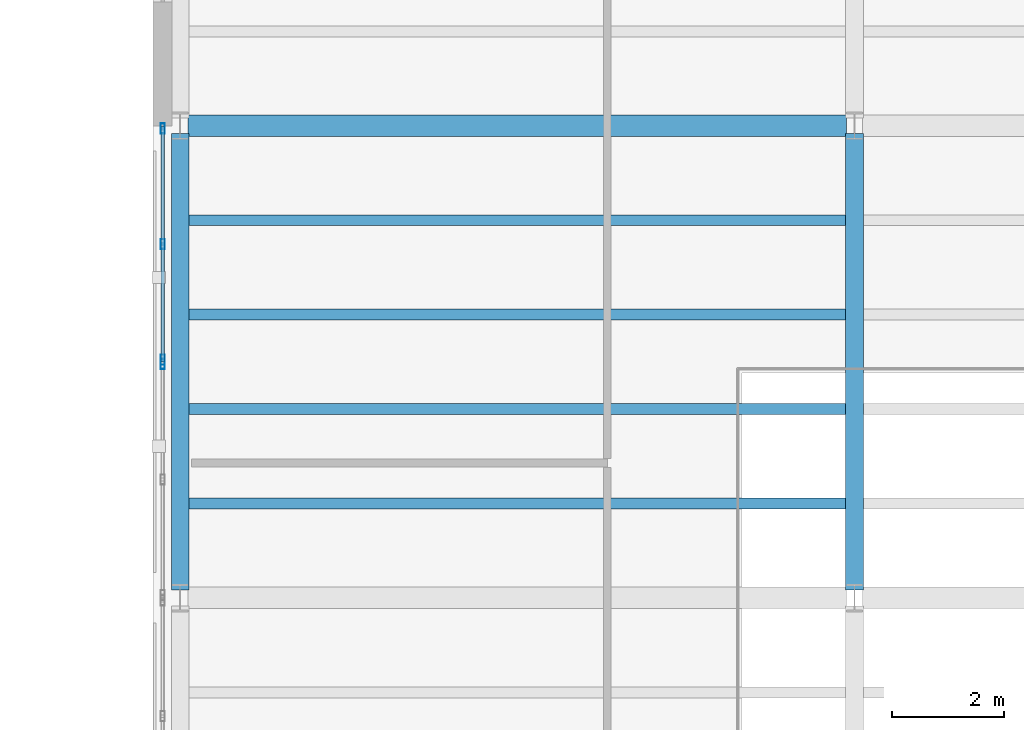
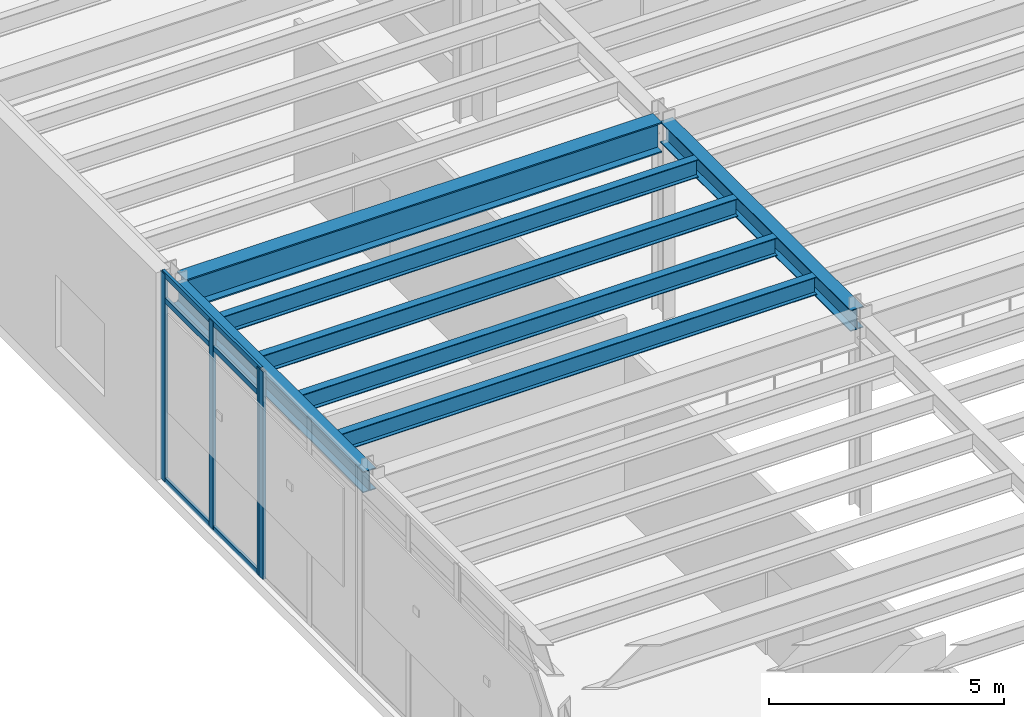
# One storey, part 36 of 98: 7 beams, 7 members, 2 elements without a shape of their own.
"""IFC4 building model written with IfcOpenShell, lengths in metres."""

from ifc_helpers import new_model, si_unit, direction, frame, origin, origin_2d, place, context, subcontext, project, spatial, hollow_rectangle, i_section, extrude, material, layer, layer_set, material_profile, profile_set, type_object, element, aggregate, save


model = new_model("IFC4")

# Units and contexts
model_context = context("Model", 3, precision=1e-05, world=origin(), true_north=direction((0.0, 1.0)))
body_context = subcontext(model_context, "Body", "Model", "MODEL_VIEW")
ifc_project = project(units=[si_unit("LENGTHUNIT", "METRE"), si_unit("AREAUNIT", "SQUARE_METRE"), si_unit("VOLUMEUNIT", "CUBIC_METRE"), si_unit("PLANEANGLEUNIT", "RADIAN"), si_unit("MASSUNIT", "GRAM", prefix="KILO")], contexts=[model_context])

# Site, building, storey
site_placement = place(None, origin())
site = spatial("IfcSite", under=ifc_project, at=site_placement, CompositionType="ELEMENT")
building_placement = place(site_placement, origin())
building = spatial("IfcBuilding", under=site, at=building_placement, Name="Sollismere Congress Hotel", CompositionType="ELEMENT")
storey_placement = place(building_placement, frame((0.0, 0.0, 5.39990234375)))
storey = spatial("IfcBuildingStorey", under=building, at=storey_placement, Name="L01", CompositionType="ELEMENT", Elevation=5.39990234375)

# Beams
ifc_material_1 = material(Name="Steel ASTM A992 Grade 50", Category="steel")
ifc_material_profile_1 = material_profile(ifc_material_1, i_section(OverallWidth=0.31494140625, OverallDepth=0.551025390625, WebThickness=0.01513671875, FlangeThickness=0.0244140625, at=origin_2d()), Name="W21X122")
ifc_profile_set_1 = profile_set([ifc_material_profile_1], Name="Steel ASTM A992 Grade 50")
beam_type_1 = type_object("IfcBeamType", Name="BM-G21H", PredefinedType="BEAM", material=ifc_profile_set_1)
for number, where, z_axis, x_axis, name in (
    (1, (112.0, 50.139892578125, 4.844482421875), (0.0, 1.0, 0.0), (-1.0, 0.0, 0.0), "Beam BM-L01-1684"),
    (2, (124.0, 50.139892578125, 4.844482421875), (0.0, 1.0, 0.0), (-1.0, 0.0, 0.0), "Beam BM-L01-1695"),
):
    element("IfcBeam", number, at=place(storey_placement, frame(where, z_axis=z_axis, x_axis=x_axis)), inside=storey, type_object=beam_type_1, Name=name, PredefinedType="BEAM", context=body_context, shape_type="SweptSolid", body=[
        extrude(i_section(OverallWidth=0.31494140625, OverallDepth=0.551025390625, WebThickness=0.01513671875, FlangeThickness=0.0244140625, at=origin_2d()), origin(), (0.0, 0.0, 1.0), 8.1201171875),
    ])
ifc_material_profile_2 = material_profile(ifc_material_1, i_section(OverallWidth=0.384033203125, OverallDepth=0.787109375, WebThickness=0.019775390625, FlangeThickness=0.033447265625, at=origin_2d()), Name="W30X211")
ifc_profile_set_2 = profile_set([ifc_material_profile_2], Name="Steel ASTM A992 Grade 50")
beam_type_2 = type_object("IfcBeamType", Name="BM-G30", PredefinedType="BEAM", material=ifc_profile_set_2)
beam_placement = place(storey_placement, frame((112.139892578125, 58.39990234375, 4.7265625), z_axis=(1.0, 0.0, 0.0), x_axis=(0.0, 1.0, 0.0)))
element("IfcBeam", 3, at=beam_placement, inside=storey, type_object=beam_type_2, Name="Beam BM-L01-1582", PredefinedType="BEAM", context=body_context, shape_type="SweptSolid", body=[
    extrude(i_section(OverallWidth=0.384033203125, OverallDepth=0.787109375, WebThickness=0.019775390625, FlangeThickness=0.033447265625, at=origin_2d()), origin(), (0.0, 0.0, 1.0), 11.72021484375),
])
ifc_material_profile_3 = material_profile(ifc_material_1, i_section(OverallWidth=0.193115234375, OverallDepth=0.467041015625, WebThickness=0.011474609375, FlangeThickness=0.01904296875, at=origin_2d()), Name="W18X65")
ifc_profile_set_3 = profile_set([ifc_material_profile_3], Name="Steel ASTM A992 Grade 50")
beam_type_3 = type_object("IfcBeamType", Name="BM-J18", PredefinedType="JOIST", material=ifc_profile_set_3)
for number, where, z_axis, x_axis, name in (
    (4, (112.157470703125, 51.679931640625, 4.88671875), (1.0, 0.0, 0.0), (0.0, 1.0, 0.0), "Beam BM-L01-1881"),
    (5, (112.157470703125, 53.360107421875, 4.88671875), (1.0, 0.0, 0.0), (0.0, 1.0, 0.0), "Beam BM-L01-1882"),
    (6, (112.157470703125, 55.0400390625, 4.88671875), (1.0, 0.0, 0.0), (0.0, 1.0, 0.0), "Beam BM-L01-1883"),
    (7, (112.157470703125, 56.719970703125, 4.88671875), (1.0, 0.0, 0.0), (0.0, 1.0, 0.0), "Beam BM-L01-1884"),
):
    element("IfcBeam", number, at=place(storey_placement, frame(where, z_axis=z_axis, x_axis=x_axis)), inside=storey, type_object=beam_type_3, Name=name, PredefinedType="JOIST", context=body_context, shape_type="SweptSolid", body=[
        extrude(i_section(OverallWidth=0.193115234375, OverallDepth=0.467041015625, WebThickness=0.011474609375, FlangeThickness=0.01904296875, at=origin_2d()), origin(), (0.0, 0.0, 1.0), 11.68505859375),
    ])

# Curtain wall, member
ifc_material_2 = material(Name="Anodized Bronze Curtain Wall & Low-E Triple Glazing", Category="glass")
ifc_layer = layer(ifc_material_2, 0.199951171875, Name="Anodized Bronze Curtain Wall & Low-E Triple Glazing")
ifc_layer_set = layer_set([ifc_layer], Name="Anodized Bronze Curtain Wall & Low-E Triple Glazing")
curtain_wall_type = type_object("IfcCurtainWallType", Name="CW-GLZ36", PredefinedType="USERDEFINED", material=ifc_layer_set)
curtain_wall_1_placement = place(storey_placement, origin())
curtain_wall_1 = element("IfcCurtainWall", 8, at=curtain_wall_1_placement, inside=storey, type_object=curtain_wall_type, Name="Unitised curtain wall CW-L01-145", ObjectType="UNITISED CURTAIN WALL", PredefinedType="USERDEFINED")
ifc_material_3 = material(Name="Anodized Aluminum 6063-T6", Category="aluminium")
ifc_material_profile_4 = material_profile(ifc_material_3, hollow_rectangle(XDim=0.074951171875, YDim=0.179931640625, WallThickness=0.0048828125, at=origin_2d()), Name="ALU180X75X5")
ifc_profile_set_4 = profile_set([ifc_material_profile_4], Name="Anodized Aluminum 6063-T6")
member_type_1 = type_object("IfcMemberType", Name="ML-CW180", PredefinedType="MULLION", material=ifc_profile_set_4)
member_1_placement = place(storey_placement, frame((111.68994140625, 54.162109375, 0.0), z_axis=(0.0, 0.0, 1.0), x_axis=(-1.0, 0.0, 0.0)))
member_1 = element("IfcMember", 9, at=member_1_placement, type_object=member_type_1, Name="CWL-CW-L01-145-ML03", PredefinedType="MULLION", context=body_context, shape_type="SweptSolid", body=[
    extrude(hollow_rectangle(XDim=0.074951171875, YDim=0.179931640625, WallThickness=0.0048828125, at=origin_2d()), origin(), (0.0, 0.0, 1.0), 5.400146484375),
])
aggregate(curtain_wall_1, [member_1])

# Curtain wall, members
curtain_wall_2_placement = place(storey_placement, origin())
curtain_wall_2 = element("IfcCurtainWall", 10, at=curtain_wall_2_placement, inside=storey, type_object=curtain_wall_type, Name="Unitised curtain wall CW-L01-146", ObjectType="UNITISED CURTAIN WALL", PredefinedType="USERDEFINED")
member_2_placement = place(storey_placement, frame((111.68994140625, 54.238037109375, 0.0), z_axis=(0.0, 0.0, 1.0), x_axis=(-1.0, 0.0, 0.0)))
member_2 = element("IfcMember", 11, at=member_2_placement, type_object=member_type_1, Name="CWL-CW-L01-146-ML01", PredefinedType="MULLION", context=body_context, shape_type="SweptSolid", body=[
    extrude(hollow_rectangle(XDim=0.074951171875, YDim=0.179931640625, WallThickness=0.0048828125, at=origin_2d()), origin(), (0.0, 0.0, 1.0), 5.400146484375),
])
member_3_placement = place(storey_placement, frame((111.68994140625, 56.294921875, 0.0), z_axis=(0.0, 0.0, 1.0), x_axis=(-1.0, 0.0, 0.0)))
member_3 = element("IfcMember", 12, at=member_3_placement, type_object=member_type_1, Name="CWL-CW-L01-146-ML02", PredefinedType="MULLION", context=body_context, shape_type="SweptSolid", body=[
    extrude(hollow_rectangle(XDim=0.074951171875, YDim=0.179931640625, WallThickness=0.0048828125, at=origin_2d()), origin(), (0.0, 0.0, 1.0), 5.400146484375),
])
member_4_placement = place(storey_placement, frame((111.68994140625, 58.35205078125, 0.0), z_axis=(0.0, 0.0, 1.0), x_axis=(-1.0, 0.0, 0.0)))
member_4 = element("IfcMember", 13, at=member_4_placement, type_object=member_type_1, Name="CWL-CW-L01-146-ML03", PredefinedType="MULLION", context=body_context, shape_type="SweptSolid", body=[
    extrude(hollow_rectangle(XDim=0.074951171875, YDim=0.179931640625, WallThickness=0.0048828125, at=origin_2d()), origin(), (0.0, 0.0, 1.0), 5.400146484375),
])
ifc_material_profile_5 = material_profile(ifc_material_3, hollow_rectangle(XDim=0.06494140625, YDim=0.139892578125, WallThickness=0.00390625, at=origin_2d()), Name="ALU140X65X4")
ifc_profile_set_5 = profile_set([ifc_material_profile_5], Name="Anodized Aluminum 6063-T6")
member_type_2 = type_object("IfcMemberType", Name="TR-CW150", PredefinedType="MEMBER", material=ifc_profile_set_5)
member_5_placement = place(storey_placement, frame((111.68994140625, 54.199951171875, 0.03271484375), z_axis=(0.0, 1.0, 0.0), x_axis=(-1.0, 0.0, 0.0)))
member_5 = element("IfcMember", 14, at=member_5_placement, type_object=member_type_2, Name="CWL-CW-L01-146-TR1", PredefinedType="MEMBER", context=body_context, shape_type="SweptSolid", body=[
    extrude(hollow_rectangle(XDim=0.06494140625, YDim=0.139892578125, WallThickness=0.00390625, at=origin_2d()), origin(), (0.0, 0.0, 1.0), 4.18994140625),
])
member_6_placement = place(storey_placement, frame((111.68994140625, 54.199951171875, 4.72021484375), z_axis=(0.0, 1.0, 0.0), x_axis=(-1.0, 0.0, 0.0)))
member_6 = element("IfcMember", 15, at=member_6_placement, type_object=member_type_2, Name="CWL-CW-L01-146-TR2", PredefinedType="MEMBER", context=body_context, shape_type="SweptSolid", body=[
    extrude(hollow_rectangle(XDim=0.06494140625, YDim=0.139892578125, WallThickness=0.00390625, at=origin_2d()), origin(), (0.0, 0.0, 1.0), 4.18994140625),
])
member_7_placement = place(storey_placement, frame((111.68994140625, 54.199951171875, 5.36767578125), z_axis=(0.0, 1.0, 0.0), x_axis=(-1.0, 0.0, 0.0)))
member_7 = element("IfcMember", 16, at=member_7_placement, type_object=member_type_2, Name="CWL-CW-L01-146-TR3", PredefinedType="MEMBER", context=body_context, shape_type="SweptSolid", body=[
    extrude(hollow_rectangle(XDim=0.06494140625, YDim=0.139892578125, WallThickness=0.00390625, at=origin_2d()), origin(), (0.0, 0.0, 1.0), 4.18994140625),
])
aggregate(curtain_wall_2, [member_2, member_3, member_4, member_5, member_6, member_7])

save(model, "model.ifc")
